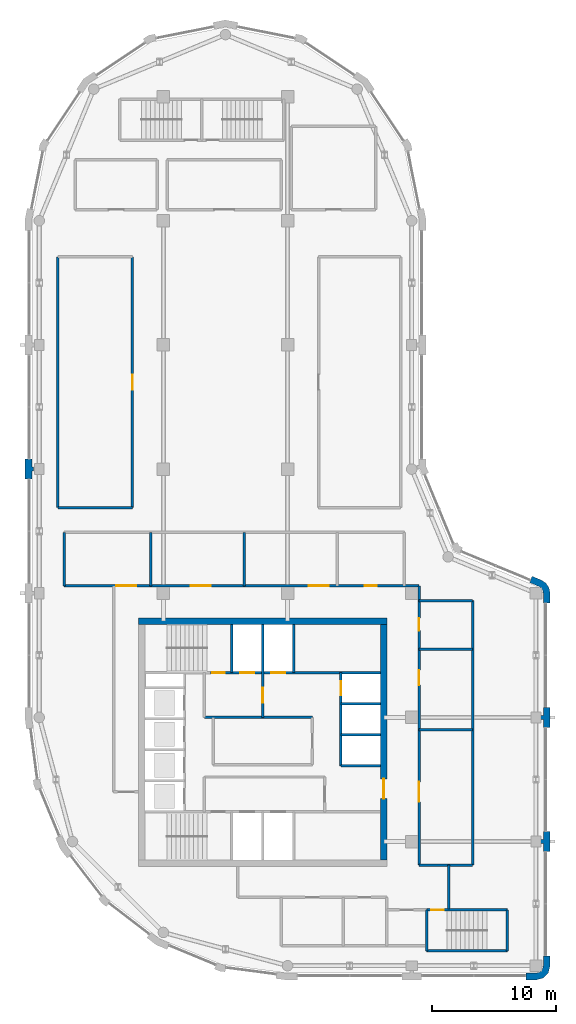
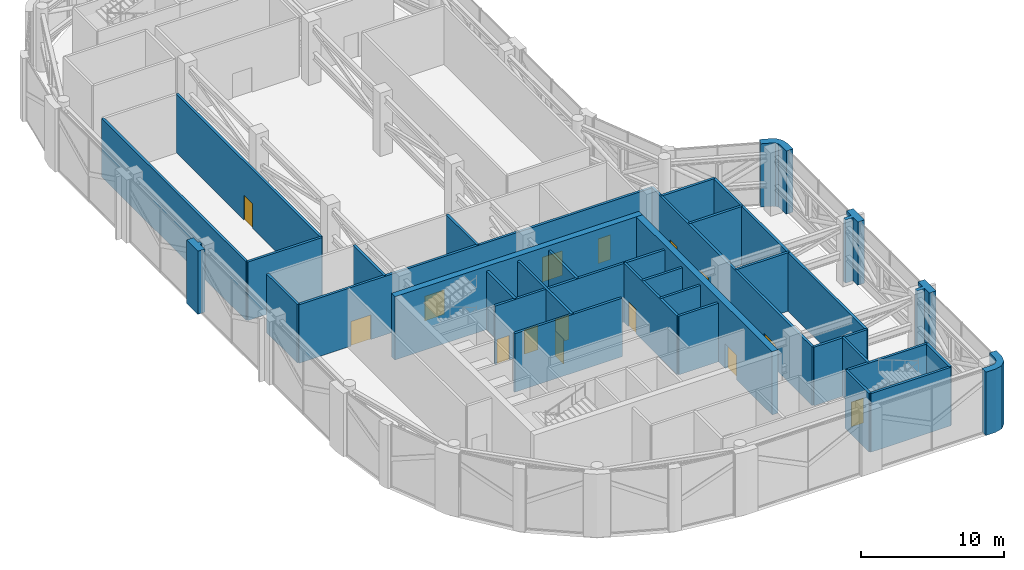
# One storey, part 14 of 18: 34 walls, 15 doors, 15 openings.
"""IFC4 building model written with IfcOpenShell, lengths in metres."""

import ifcopenshell
import ifcopenshell.guid

model = None  # the IFC model being written
_history = None  # IfcOwnerHistory: only IFC2X3 demands one
_inside = {}  # id of a spatial element -> (the spatial element, [elements in it])
_under = {}  # id of a project, library or spatial element -> (it, [spatial elements below it])
_declared = {}  # id of a project -> (the project, [libraries it declares])
_typed = {}  # id of a type object -> (the type object, [elements of that type])
_made_of = {}  # id of a material, layer set ... -> (it, [elements and type objects made of it])


def new_model(schema):
    """Start an empty IFC model of exactly this schema.

    Asked for "IFC4X3", IfcOpenShell would pick the latest addendum, in which some entities
    have other attributes; the version numbers below select the first issue.
    IFC2X3 requires an IfcOwnerHistory on every rooted entity: one is made here for all.
    """
    global model, _history
    if schema == "IFC4X3":
        model = ifcopenshell.file(schema_version=(4, 3, 0, 0))
    else:
        model = ifcopenshell.file(schema=schema)
    _inside.clear()
    _under.clear()
    _declared.clear()
    _typed.clear()
    _made_of.clear()
    _history = None
    if model.schema == "IFC2X3":
        org = make("IfcOrganization", Name="unknown")
        user = make(
            "IfcPersonAndOrganization",
            ThePerson=make("IfcPerson", FamilyName="unknown"),
            TheOrganization=org,
        )
        app = make(
            "IfcApplication",
            ApplicationDeveloper=org,
            Version="unknown",
            ApplicationFullName="unknown",
            ApplicationIdentifier="unknown",
        )
        _history = make(
            "IfcOwnerHistory",
            OwningUser=user,
            OwningApplication=app,
            ChangeAction="ADDED",
            CreationDate=0,
        )
    return model


def make(cls, **values):
    """One entity of the class cls with the attributes given. An attribute that is None is left unset."""
    return model.create_entity(
        cls, **{name: value for name, value in values.items() if value is not None}
    )


def rooted(cls, **values):
    """An entity with a GlobalId (a new one), such as an element, a storey or a relation."""
    return make(cls, GlobalId=ifcopenshell.guid.new(), OwnerHistory=_history, **values)


def si_unit(unit_type, name, prefix=None):
    """IfcSIUnit, for example si_unit("LENGTHUNIT", "METRE", prefix="MILLI")."""
    return make("IfcSIUnit", UnitType=unit_type, Prefix=prefix, Name=name)


def assignment(units):
    """IfcUnitAssignment: the units of a project."""
    return None if units is None else make("IfcUnitAssignment", Units=units)


def point(xyz):
    """IfcCartesianPoint."""
    return None if xyz is None else make("IfcCartesianPoint", Coordinates=xyz)


def direction(xyz):
    """IfcDirection."""
    return None if xyz is None else make("IfcDirection", DirectionRatios=xyz)


def frame(location, z_axis=None, x_axis=None):
    """IfcAxis2Placement3D, a coordinate frame: its origin and axes. An axis left out is left unset."""
    return make(
        "IfcAxis2Placement3D",
        Location=point(location),
        Axis=direction(z_axis),
        RefDirection=direction(x_axis),
    )


def frame_2d(location, x_axis=None):
    """IfcAxis2Placement2D, a coordinate frame in the plane: its origin and x axis."""
    return make(
        "IfcAxis2Placement2D", Location=point(location), RefDirection=direction(x_axis)
    )


def origin():
    """The frame at (0, 0, 0) with its axes left unset."""
    return frame((0.0, 0.0, 0.0))


def place(relative_to, where):
    """IfcLocalPlacement: puts the frame where relative to a parent placement (None: the world)."""
    return make(
        "IfcLocalPlacement", PlacementRelTo=relative_to, RelativePlacement=where
    )


def context(
    kind, dimensions, precision=None, world=None, true_north=None, identifier=None
):
    """IfcGeometricRepresentationContext, for example the 3D "Model" context."""
    return make(
        "IfcGeometricRepresentationContext",
        ContextIdentifier=identifier,
        ContextType=kind,
        CoordinateSpaceDimension=dimensions,
        Precision=precision,
        WorldCoordinateSystem=world,
        TrueNorth=true_north,
    )


def subcontext(parent, identifier, kind, view, scale=None):
    """IfcGeometricRepresentationSubContext, for example "Body" below "Model"."""
    return make(
        "IfcGeometricRepresentationSubContext",
        ContextIdentifier=identifier,
        ContextType=kind,
        ParentContext=parent,
        TargetScale=scale,
        TargetView=view,
    )


def project(units=None, contexts=None):
    """IfcProject with its units and contexts."""
    return rooted(
        "IfcProject",
        Name="project",
        RepresentationContexts=contexts,
        UnitsInContext=assignment(units),
    )


def spatial(cls, under=None, at=None, **own):
    """A site, building, storey or space (cls), placed at a placement, below another one or the project."""
    s = rooted(cls, ObjectPlacement=at, **own)
    if under is not None:
        _under.setdefault(under.id(), (under, []))[1].append(s)
    return s


def polyline(points):
    """IfcPolyline through the points."""
    return make("IfcPolyline", Points=[point(p) for p in points])


def profile(cls, at=None, kind="AREA", **sizes):
    """A parametric profile (cls). Its sizes go by their IFC names, for example OverallWidth=200.0."""
    return make(cls, ProfileType=kind, Position=at, **sizes)


def rectangle(**sizes):
    """IfcRectangleProfileDef."""
    return profile("IfcRectangleProfileDef", **sizes)


def outline(outer, holes=None, kind="AREA"):
    """IfcArbitraryClosedProfileDef: a profile drawn as a closed curve; with holes, ...WithVoids."""
    if holes is None:
        return make("IfcArbitraryClosedProfileDef", ProfileType=kind, OuterCurve=outer)
    return make(
        "IfcArbitraryProfileDefWithVoids",
        ProfileType=kind,
        OuterCurve=outer,
        InnerCurves=holes,
    )


def extrude(swept, where, along, depth):
    """IfcExtrudedAreaSolid: the profile swept, set in the frame where, extruded along a direction by depth."""
    return make(
        "IfcExtrudedAreaSolid",
        SweptArea=swept,
        Position=where,
        ExtrudedDirection=direction(along),
        Depth=depth,
    )


def shape(context_of_items, identifier, shape_type, items):
    """IfcShapeRepresentation: the items that make up one representation, for example the "Body"."""
    return make(
        "IfcShapeRepresentation",
        ContextOfItems=context_of_items,
        RepresentationIdentifier=identifier,
        RepresentationType=shape_type,
        Items=items,
    )


def material(Name=None, Category=None):
    """IfcMaterial."""
    return make("IfcMaterial", Name=Name, Category=Category)


def layer(
    of_material, thickness, ventilated=None, Name=None, Category=None, Priority=None
):
    """IfcMaterialLayer: one layer of a wall or slab, of a material (None: an air gap)."""
    return make(
        "IfcMaterialLayer",
        Material=of_material,
        LayerThickness=thickness,
        IsVentilated=ventilated,
        Name=Name,
        Category=Category,
        Priority=Priority,
    )


def layer_set(layers, Name=None):
    """IfcMaterialLayerSet."""
    return make("IfcMaterialLayerSet", MaterialLayers=layers, LayerSetName=Name)


def made_of(thing, what):
    """Note that an element or type object is made of a material, layer set ...; save() writes the relation."""
    if what is not None:
        _made_of.setdefault(what.id(), (what, []))[1].append(thing)
    return thing


def type_object(cls, material=None, **own):
    """A type object (cls), such as IfcWallType, which elements share."""
    return made_of(rooted(cls, **own), material)


def element(
    cls,
    number,
    at=None,
    inside=None,
    cuts=None,
    type_object=None,
    material=None,
    context=None,
    identifier="Body",
    shape_type=None,
    held_by="IfcProductDefinitionShape",
    body=None,
    shapes=None,
    **own,
):
    """One element of the class cls, such as IfcWall. Its Tag is "e" and its number.

    at: its placement. inside: the storey or other place that contains it. cuts: it is an
    opening in that element (IfcRelVoidsElement). A single representation is given by context,
    identifier, shape_type and body (its items); several are given by shapes. held_by: the class
    of the entity that holds the representations. save() writes the other relations.
    """
    e = rooted(cls, Tag="e%d" % number, ObjectPlacement=at, **own)
    if body is not None:
        shapes = [shape(context, identifier, shape_type, body)]
    if shapes is not None:
        e.Representation = make(held_by, Representations=shapes)
    if inside is not None:
        _inside.setdefault(inside.id(), (inside, []))[1].append(e)
    if cuts is not None:
        rooted(
            "IfcRelVoidsElement", RelatingBuildingElement=cuts, RelatedOpeningElement=e
        )
    if type_object is not None:
        _typed.setdefault(type_object.id(), (type_object, []))[1].append(e)
    return made_of(e, material)


def fill(opening, filler):
    """IfcRelFillsElement: the door or window that sits in an opening."""
    return rooted(
        "IfcRelFillsElement",
        RelatingOpeningElement=opening,
        RelatedBuildingElement=filler,
    )


def aggregate(whole, parts):
    """IfcRelAggregates: a whole, such as a stair, and the parts it consists of."""
    return rooted("IfcRelAggregates", RelatingObject=whole, RelatedObjects=parts)


def save(model, path):
    """Write the relations noted so far, then the file.

    IfcRelAggregates (storeys below a building ...), IfcRelContainedInSpatialStructure (elements
    in a storey), IfcRelDefinesByType, IfcRelAssociatesMaterial and IfcRelDeclares: one each for
    every whole, place, type object, material and project.
    """
    for whole, parts in _under.values():
        aggregate(whole, parts)
    for where, things in _inside.values():
        rooted(
            "IfcRelContainedInSpatialStructure",
            RelatedElements=things,
            RelatingStructure=where,
        )
    for kind, things in _typed.values():
        rooted("IfcRelDefinesByType", RelatedObjects=things, RelatingType=kind)
    for what, things in _made_of.values():
        rooted("IfcRelAssociatesMaterial", RelatedObjects=things, RelatingMaterial=what)
    for by, libraries in _declared.values():
        rooted("IfcRelDeclares", RelatingContext=by, RelatedDefinitions=libraries)
    model.write(path)


model = new_model("IFC4")

# Units and contexts
model_context = context("Model", 3, precision=1e-05, world=origin(), true_north=direction((0.0, 1.0)))
body_context = subcontext(model_context, "Body", "Model", "MODEL_VIEW")
ifc_project = project(units=[si_unit("LENGTHUNIT", "METRE"), si_unit("AREAUNIT", "SQUARE_METRE"), si_unit("VOLUMEUNIT", "CUBIC_METRE"), si_unit("PLANEANGLEUNIT", "RADIAN"), si_unit("MASSUNIT", "GRAM", prefix="KILO")], contexts=[model_context])

# Site, building, storey
site_placement = place(None, origin())
site = spatial("IfcSite", under=ifc_project, at=site_placement, CompositionType="ELEMENT")
building_placement = place(site_placement, origin())
building = spatial("IfcBuilding", under=site, at=building_placement, Name="Qaws Garden Tower", CompositionType="ELEMENT")
storey_placement = place(building_placement, frame((0.0, 0.0, 352.800048828125)))
storey = spatial("IfcBuildingStorey", under=building, at=storey_placement, Name="L86", CompositionType="ELEMENT", Elevation=352.800048828125)

# Walls
ifc_material_1 = material(Name="Clay facing brick masonry", Category="masonry")
ifc_layer_1 = layer(ifc_material_1, 0.550048828125)
ifc_layer_set_1 = layer_set([ifc_layer_1], Name="Clay facing brick masonry")
wall_type_1 = type_object("IfcWallType", Name="Brick corner pier 550 x 2400", PredefinedType="SOLIDWALL", material=ifc_layer_set_1)
placement = place(storey_placement, origin())
element("IfcWall", 1, at=placement, inside=storey, type_object=wall_type_1, Name="E-L86-pier-02", PredefinedType="SOLIDWALL", context=body_context, shape_type="SweptSolid", body=[
    extrude(outline(polyline([(39.199951171875, -1.0), (39.199951171875, -1.14990234375), (40.0, -1.14990234375), (40.574951171875, -0.995849609375), (40.995849609375, -0.574951171875), (41.14990234375, 0.0), (41.14990234375, 0.800048828125), (41.0, 0.800048828125), (40.60009765625, 0.800048828125), (40.60009765625, 0.0), (40.51953125, -0.300048828125), (40.300048828125, -0.51953125), (40.0, -0.60009765625), (39.199951171875, -0.60009765625), (39.199951171875, -1.0)])), origin(), (0.0, 0.0, 1.0), 5.39990234375),
])
element("IfcWall", 2, at=placement, inside=storey, type_object=wall_type_1, Name="E-L86-pier-05", PredefinedType="SOLIDWALL", context=body_context, shape_type="SweptSolid", body=[
    extrude(outline(polyline([(41.0, 29.199951171875), (41.14990234375, 29.199951171875), (41.14990234375, 30.0), (41.0625, 30.440185546875), (40.813232421875, 30.813232421875), (40.440185546875, 31.0625), (39.700927734375, 31.36865234375), (39.6435546875, 31.22998046875), (39.490478515625, 30.860595703125), (40.2294921875, 30.554443359375), (40.42431640625, 30.42431640625), (40.554443359375, 30.2294921875), (40.60009765625, 30.0), (40.60009765625, 29.199951171875), (41.0, 29.199951171875)])), origin(), (0.0, 0.0, 1.0), 5.39990234375),
])
ifc_material_2 = material(Name="Clay facing brick masonry", Category="masonry")
ifc_layer_2 = layer(ifc_material_2, 0.550048828125)
ifc_layer_set_2 = layer_set([ifc_layer_2], Name="Clay facing brick masonry")
wall_type_2 = type_object("IfcWallType", Name="Brick pier 550 x 1600", PredefinedType="SOLIDWALL", material=ifc_layer_set_2)
element("IfcWall", 3, at=placement, inside=storey, type_object=wall_type_2, Name="E-L86-pier-03", PredefinedType="SOLIDWALL", context=body_context, shape_type="SweptSolid", body=[
    extrude(outline(polyline([(40.0, 9.85009765625), (40.60009765625, 9.85009765625), (40.60009765625, 9.199951171875), (41.0, 9.199951171875), (41.14990234375, 9.199951171875), (41.14990234375, 10.0), (41.14990234375, 10.800048828125), (41.0, 10.800048828125), (40.60009765625, 10.800048828125), (40.60009765625, 10.14990234375), (40.0, 10.14990234375), (40.0, 9.85009765625)])), origin(), (0.0, 0.0, 1.0), 5.39990234375),
])
element("IfcWall", 4, at=placement, inside=storey, type_object=wall_type_2, Name="E-L86-pier-04", PredefinedType="SOLIDWALL", context=body_context, shape_type="SweptSolid", body=[
    extrude(outline(polyline([(40.0, 19.85009765625), (40.60009765625, 19.85009765625), (40.60009765625, 19.199951171875), (41.0, 19.199951171875), (41.14990234375, 19.199951171875), (41.14990234375, 20.0), (41.14990234375, 20.800048828125), (41.0, 20.800048828125), (40.60009765625, 20.800048828125), (40.60009765625, 20.14990234375), (40.0, 20.14990234375), (40.0, 19.85009765625)])), origin(), (0.0, 0.0, 1.0), 5.39990234375),
])
element("IfcWall", 5, at=placement, inside=storey, type_object=wall_type_2, Name="E-L86-pier-19", PredefinedType="SOLIDWALL", context=body_context, shape_type="SweptSolid", body=[
    extrude(outline(polyline([(-0.60009765625, 39.199951171875), (-0.60009765625, 39.85009765625), (-0.449951171875, 39.85009765625), (-0.449951171875, 40.14990234375), (-0.60009765625, 40.14990234375), (-0.60009765625, 40.800048828125), (-1.0, 40.800048828125), (-1.14990234375, 40.800048828125), (-1.14990234375, 40.0), (-1.14990234375, 39.199951171875), (-1.0, 39.199951171875), (-0.60009765625, 39.199951171875)])), origin(), (0.0, 0.0, 1.0), 5.39990234375),
])
ifc_material_3 = material(Name="Concrete C60", Category="concrete")
ifc_layer_3 = layer(ifc_material_3, 0.199951171875)
ifc_layer_set_3 = layer_set([ifc_layer_3], Name="Concrete C60")
wall_type_3 = type_object("IfcWallType", Name="Core shaft wall 200 C60", PredefinedType="SHEAR", material=ifc_layer_set_3)
wall_6_placement = place(storey_placement, frame((31.199951171875, 1.199951171875, 0.0), z_axis=(0.0, 0.0, 1.0), x_axis=(1.0, 0.0, 0.0)))
element("IfcWall", 6, at=wall_6_placement, inside=storey, type_object=wall_type_3, Name="Shaft wall", PredefinedType="SHEAR", context=body_context, shape_type="SweptSolid", body=[
    extrude(rectangle(XDim=6.5, YDim=0.199951171875, at=frame_2d((3.25, 0.0))), origin(), (0.0, 0.0, 1.0), 5.0),
])

# Wall, opening, door
wall_7_placement = place(storey_placement, frame((31.199951171875, 4.5, 0.0), z_axis=(0.0, 0.0, 1.0), x_axis=(1.0, 0.0, 0.0)))
wall_7 = element("IfcWall", 7, at=wall_7_placement, inside=storey, type_object=wall_type_3, Name="Shaft wall", PredefinedType="SHEAR", context=body_context, shape_type="SweptSolid", body=[
    extrude(rectangle(XDim=6.5, YDim=0.199951171875, at=frame_2d((3.25, 0.0))), origin(), (0.0, 0.0, 1.0), 5.0),
])
opening_1_placement = place(wall_7_placement, frame((0.375, 0.0, 0.0)))
opening_1 = element("IfcOpeningElement", 8, at=opening_1_placement, cuts=wall_7, Name="Opening SD12", PredefinedType="OPENING", context=body_context, shape_type="SweptSolid", body=[
    extrude(rectangle(XDim=1.0, YDim=2.10009765625, at=frame_2d((0.5, 1.050048828125))), frame((0.0, 0.10986328125, 0.0), z_axis=(0.0, -1.0, 0.0), x_axis=(1.0, 0.0, 0.0)), (0.0, 0.0, 1.0), 0.219970703125),
])
ifc_material_4 = material(Name="Steel S235", Category="steel")
door_type_1 = type_object("IfcDoorType", Name="Stair door 1000x2100", OperationType="SINGLE_SWING_RIGHT", PredefinedType="DOOR", material=ifc_material_4)
door_1_placement = place(opening_1_placement, frame((1.0, 0.0, 0.0), z_axis=(0.0, 0.0, 1.0), x_axis=(-1.0, 0.0, 0.0)))
door_1 = element("IfcDoor", 9, at=door_1_placement, inside=storey, type_object=door_type_1, Name="Stair 5 door", OperationType="SINGLE_SWING_RIGHT", OverallHeight=2.10009765625, OverallWidth=1.0, PredefinedType="DOOR", context=body_context, shape_type="SweptSolid", body=[
    extrude(rectangle(XDim=1.0, YDim=2.10009765625, at=frame_2d((0.5, 1.050048828125))), frame((0.0, 0.02490234375, 0.0), z_axis=(0.0, -1.0, 0.0), x_axis=(1.0, 0.0, 0.0)), (0.0, 0.0, 1.0), 0.050048828125),
])
fill(opening_1, door_1)

# Walls
for number, where, z_axis, x_axis, name in (
    (10, (24.300048828125, 16.10009765625, 0.0), (0.0, 0.0, 1.0), (1.0, 0.0, 0.0), "Shaft wall"),
    (11, (24.300048828125, 18.60009765625, 0.0), (0.0, 0.0, 1.0), (1.0, 0.0, 0.0), "Shaft wall"),
):
    element("IfcWall", number, at=place(storey_placement, frame(where, z_axis=z_axis, x_axis=x_axis)), inside=storey, type_object=wall_type_3, Name=name, PredefinedType="SHEAR", context=body_context, shape_type="SweptSolid", body=[
        extrude(rectangle(XDim=3.199951171875, YDim=0.199951171875, at=frame_2d((1.60009765625, 0.0))), origin(), (0.0, 0.0, 1.0), 5.0),
    ])
wall_8_placement = place(storey_placement, frame((13.300048828125, 20.0, 0.0), z_axis=(0.0, 0.0, 1.0), x_axis=(1.0, 0.0, 0.0)))
element("IfcWall", 12, at=wall_8_placement, inside=storey, type_object=wall_type_3, Name="Shaft wall", PredefinedType="SHEAR", context=body_context, shape_type="SweptSolid", body=[
    extrude(rectangle(XDim=8.699951171875, YDim=0.199951171875, at=frame_2d((4.35009765625, 0.0))), origin(), (0.0, 0.0, 1.0), 5.0),
])
wall_9_placement = place(storey_placement, frame((24.300048828125, 21.10009765625, 0.0), z_axis=(0.0, 0.0, 1.0), x_axis=(1.0, 0.0, 0.0)))
element("IfcWall", 13, at=wall_9_placement, inside=storey, type_object=wall_type_3, Name="Shaft wall", PredefinedType="SHEAR", context=body_context, shape_type="SweptSolid", body=[
    extrude(rectangle(XDim=3.199951171875, YDim=0.199951171875, at=frame_2d((1.60009765625, 0.0))), origin(), (0.0, 0.0, 1.0), 5.0),
])

# Wall, openings, doors
wall_10_placement = place(storey_placement, frame((13.800048828125, 23.60009765625, 0.0), z_axis=(0.0, 0.0, 1.0), x_axis=(1.0, 0.0, 0.0)))
wall_10 = element("IfcWall", 14, at=wall_10_placement, inside=storey, type_object=wall_type_3, Name="Shaft wall", PredefinedType="SHEAR", context=body_context, shape_type="SweptSolid", body=[
    extrude(rectangle(XDim=13.699951171875, YDim=0.199951171875, at=frame_2d((6.85009765625, 0.0))), origin(), (0.0, 0.0, 1.0), 5.0),
])
opening_2_placement = place(wall_10_placement, frame((2.39990234375, 0.0, 0.0)))
opening_2 = element("IfcOpeningElement", 15, at=opening_2_placement, cuts=wall_10, Name="Opening LD08", PredefinedType="OPENING", context=body_context, shape_type="SweptSolid", body=[
    extrude(rectangle(XDim=1.10009765625, YDim=2.10009765625, at=frame_2d((0.550048828125, 1.050048828125))), frame((0.0, 0.10986328125, 0.0), z_axis=(0.0, -1.0, 0.0), x_axis=(1.0, 0.0, 0.0)), (0.0, 0.0, 1.0), 0.219970703125),
])
opening_3_placement = place(wall_10_placement, frame((4.89990234375, 0.0, 0.0)))
opening_3 = element("IfcOpeningElement", 16, at=opening_3_placement, cuts=wall_10, Name="Opening LD09", PredefinedType="OPENING", context=body_context, shape_type="SweptSolid", body=[
    extrude(rectangle(XDim=1.10009765625, YDim=2.10009765625, at=frame_2d((0.550048828125, 1.050048828125))), frame((0.0, 0.10986328125, 0.0), z_axis=(0.0, -1.0, 0.0), x_axis=(1.0, 0.0, 0.0)), (0.0, 0.0, 1.0), 0.219970703125),
])
opening_4_placement = place(wall_10_placement, frame((0.14990234375, 0.0, 0.0)))
opening_4 = element("IfcOpeningElement", 17, at=opening_4_placement, cuts=wall_10, Name="Opening SD11", PredefinedType="OPENING", context=body_context, shape_type="SweptSolid", body=[
    extrude(rectangle(XDim=1.0, YDim=2.10009765625, at=frame_2d((0.5, 1.050048828125))), frame((0.0, 0.10986328125, 0.0), z_axis=(0.0, -1.0, 0.0), x_axis=(1.0, 0.0, 0.0)), (0.0, 0.0, 1.0), 0.219970703125),
])
ifc_material_5 = material(Name="Steel S235", Category="steel")
door_type_2 = type_object("IfcDoorType", Name="Landing door 1100x2100", OperationType="DOUBLE_DOOR_SLIDING", PredefinedType="DOOR", material=ifc_material_5)
door_2_placement = place(opening_2_placement, origin())
door_2 = element("IfcDoor", 18, at=door_2_placement, inside=storey, type_object=door_type_2, Name="Lift FF3 landing door", OperationType="DOUBLE_DOOR_SLIDING", OverallHeight=2.10009765625, OverallWidth=1.10009765625, PredefinedType="DOOR", context=body_context, shape_type="SweptSolid", body=[
    extrude(rectangle(XDim=1.10009765625, YDim=2.10009765625, at=frame_2d((0.550048828125, 1.050048828125))), frame((0.0, 0.02490234375, 0.0), z_axis=(0.0, -1.0, 0.0), x_axis=(1.0, 0.0, 0.0)), (0.0, 0.0, 1.0), 0.050048828125),
])
fill(opening_2, door_2)
door_3_placement = place(opening_3_placement, origin())
door_3 = element("IfcDoor", 19, at=door_3_placement, inside=storey, type_object=door_type_2, Name="Lift SV2 landing door", OperationType="DOUBLE_DOOR_SLIDING", OverallHeight=2.10009765625, OverallWidth=1.10009765625, PredefinedType="DOOR", context=body_context, shape_type="SweptSolid", body=[
    extrude(rectangle(XDim=1.10009765625, YDim=2.10009765625, at=frame_2d((0.550048828125, 1.050048828125))), frame((0.0, 0.02490234375, 0.0), z_axis=(0.0, -1.0, 0.0), x_axis=(1.0, 0.0, 0.0)), (0.0, 0.0, 1.0), 0.050048828125),
])
fill(opening_3, door_3)
door_4_placement = place(opening_4_placement, frame((1.0, 0.0, 0.0), z_axis=(0.0, 0.0, 1.0), x_axis=(-1.0, 0.0, 0.0)))
door_4 = element("IfcDoor", 20, at=door_4_placement, inside=storey, type_object=door_type_1, Name="Stair 4 door", OperationType="SINGLE_SWING_RIGHT", OverallHeight=2.10009765625, OverallWidth=1.0, PredefinedType="DOOR", context=body_context, shape_type="SweptSolid", body=[
    extrude(rectangle(XDim=1.0, YDim=2.10009765625, at=frame_2d((0.5, 1.050048828125))), frame((0.0, 0.02490234375, 0.0), z_axis=(0.0, -1.0, 0.0), x_axis=(1.0, 0.0, 0.0)), (0.0, 0.0, 1.0), 0.050048828125),
])
fill(opening_4, door_4)

# Wall
wall_11_placement = place(storey_placement, frame((15.5, 23.60009765625, 0.0), z_axis=(0.0, 0.0, 1.0), x_axis=(0.0, 1.0, 0.0)))
element("IfcWall", 21, at=wall_11_placement, inside=storey, type_object=wall_type_3, Name="Shaft wall", PredefinedType="SHEAR", context=body_context, shape_type="SweptSolid", body=[
    extrude(rectangle(XDim=3.89990234375, YDim=0.199951171875, at=frame_2d((1.949951171875, 0.0))), origin(), (0.0, 0.0, 1.0), 5.0),
])

# Wall, opening, door
wall_12_placement = place(storey_placement, frame((18.0, 20.0, 0.0), z_axis=(0.0, 0.0, 1.0), x_axis=(0.0, 1.0, 0.0)))
wall_12 = element("IfcWall", 22, at=wall_12_placement, inside=storey, type_object=wall_type_3, Name="Shaft wall", PredefinedType="SHEAR", context=body_context, shape_type="SweptSolid", body=[
    extrude(rectangle(XDim=7.5, YDim=0.199951171875, at=frame_2d((3.75, 0.0))), origin(), (0.0, 0.0, 1.0), 5.0),
])
opening_5_placement = place(wall_12_placement, frame((1.199951171875, 0.0, 0.0)))
opening_5 = element("IfcOpeningElement", 23, at=opening_5_placement, cuts=wall_12, Name="Opening FD16", PredefinedType="OPENING", context=body_context, shape_type="SweptSolid", body=[
    extrude(rectangle(XDim=1.199951171875, YDim=2.10009765625, at=frame_2d((0.60009765625, 1.050048828125))), frame((0.0, 0.10986328125, 0.0), z_axis=(0.0, -1.0, 0.0), x_axis=(1.0, 0.0, 0.0)), (0.0, 0.0, 1.0), 0.219970703125),
])
ifc_material_6 = material(Name="Steel S235", Category="steel")
door_type_3 = type_object("IfcDoorType", Name="Lobby door 1200x2100", OperationType="DOUBLE_DOOR_SINGLE_SWING", PredefinedType="DOOR", material=ifc_material_6)
door_5_placement = place(opening_5_placement, origin())
door_5 = element("IfcDoor", 24, at=door_5_placement, inside=storey, type_object=door_type_3, Name="Fire-fighting lobby door", OperationType="DOUBLE_DOOR_SINGLE_SWING", OverallHeight=2.10009765625, OverallWidth=1.199951171875, PredefinedType="DOOR", context=body_context, shape_type="SweptSolid", body=[
    extrude(rectangle(XDim=1.199951171875, YDim=2.10009765625, at=frame_2d((0.60009765625, 1.050048828125))), frame((0.0, 0.02490234375, 0.0), z_axis=(0.0, -1.0, 0.0), x_axis=(1.0, 0.0, 0.0)), (0.0, 0.0, 1.0), 0.050048828125),
])
fill(opening_5, door_5)

# Wall
wall_13_placement = place(storey_placement, frame((20.5, 23.60009765625, 0.0), z_axis=(0.0, 0.0, 1.0), x_axis=(0.0, 1.0, 0.0)))
element("IfcWall", 25, at=wall_13_placement, inside=storey, type_object=wall_type_3, Name="Shaft wall", PredefinedType="SHEAR", context=body_context, shape_type="SweptSolid", body=[
    extrude(rectangle(XDim=3.89990234375, YDim=0.199951171875, at=frame_2d((1.949951171875, 0.0))), origin(), (0.0, 0.0, 1.0), 5.0),
])

# Wall, opening, door
wall_14_placement = place(storey_placement, frame((24.300048828125, 16.10009765625, 0.0), z_axis=(0.0, 0.0, 1.0), x_axis=(0.0, 1.0, 0.0)))
wall_14 = element("IfcWall", 26, at=wall_14_placement, inside=storey, type_object=wall_type_3, Name="Shaft wall", PredefinedType="SHEAR", context=body_context, shape_type="SweptSolid", body=[
    extrude(rectangle(XDim=7.5, YDim=0.199951171875, at=frame_2d((3.75, 0.0))), origin(), (0.0, 0.0, 1.0), 5.0),
])
opening_6_placement = place(wall_14_placement, frame((5.699951171875, 0.0, 0.0)))
opening_6 = element("IfcOpeningElement", 27, at=opening_6_placement, cuts=wall_14, Name="Opening LD05", PredefinedType="OPENING", context=body_context, shape_type="SweptSolid", body=[
    extrude(rectangle(XDim=1.10009765625, YDim=2.10009765625, at=frame_2d((0.550048828125, 1.050048828125))), frame((0.0, 0.10986328125, 0.0), z_axis=(0.0, -1.0, 0.0), x_axis=(1.0, 0.0, 0.0)), (0.0, 0.0, 1.0), 0.219970703125),
])
door_6_placement = place(opening_6_placement, origin())
door_6 = element("IfcDoor", 28, at=door_6_placement, inside=storey, type_object=door_type_2, Name="Lift E3 landing door", OperationType="DOUBLE_DOOR_SLIDING", OverallHeight=2.10009765625, OverallWidth=1.10009765625, PredefinedType="DOOR", context=body_context, shape_type="SweptSolid", body=[
    extrude(rectangle(XDim=1.10009765625, YDim=2.10009765625, at=frame_2d((0.550048828125, 1.050048828125))), frame((0.0, 0.02490234375, 0.0), z_axis=(0.0, -1.0, 0.0), x_axis=(1.0, 0.0, 0.0)), (0.0, 0.0, 1.0), 0.050048828125),
])
fill(opening_6, door_6)

# Walls
for number, where, z_axis, x_axis, name in (
    (29, (31.199951171875, 1.199951171875, 0.0), (0.0, 0.0, 1.0), (0.0, 1.0, 0.0), "Shaft wall"),
    (30, (37.699951171875, 1.199951171875, 0.0), (0.0, 0.0, 1.0), (0.0, 1.0, 0.0), "Shaft wall"),
):
    element("IfcWall", number, at=place(storey_placement, frame(where, z_axis=z_axis, x_axis=x_axis)), inside=storey, type_object=wall_type_3, Name=name, PredefinedType="SHEAR", context=body_context, shape_type="SweptSolid", body=[
        extrude(rectangle(XDim=3.300048828125, YDim=0.199951171875, at=frame_2d((1.64990234375, 0.0))), origin(), (0.0, 0.0, 1.0), 5.0),
    ])

# Wall, opening, door
ifc_material_7 = material(Name="Concrete C60", Category="concrete")
ifc_layer_4 = layer(ifc_material_7, 0.5)
ifc_layer_set_4 = layer_set([ifc_layer_4], Name="Concrete C60")
wall_type_4 = type_object("IfcWallType", Name="Core wall 500 C60", PredefinedType="SHEAR", material=ifc_layer_set_4)
wall_15_placement = place(storey_placement, frame((27.75, 8.5, 0.0), z_axis=(0.0, 0.0, 1.0), x_axis=(0.0, 1.0, 0.0)))
wall_15 = element("IfcWall", 31, at=wall_15_placement, inside=storey, type_object=wall_type_4, Name="Core wall L86 east", PredefinedType="SHEAR", context=body_context, shape_type="SweptSolid", body=[
    extrude(rectangle(XDim=19.0, YDim=0.5, at=frame_2d((9.5, 0.0))), origin(), (0.0, 0.0, 1.0), 5.39990234375),
])
opening_7_placement = place(wall_15_placement, frame((4.949951171875, 0.0, 0.0)))
opening_7 = element("IfcOpeningElement", 32, at=opening_7_placement, cuts=wall_15, Name="Opening ED18", PredefinedType="OPENING", context=body_context, shape_type="SweptSolid", body=[
    extrude(rectangle(XDim=1.60009765625, YDim=2.10009765625, at=frame_2d((0.800048828125, 1.050048828125))), frame((0.0, 0.260009765625, 0.0), z_axis=(0.0, -1.0, 0.0), x_axis=(1.0, 0.0, 0.0)), (0.0, 0.0, 1.0), 0.52001953125),
])
ifc_material_8 = material(Name="Steel S235", Category="steel")
door_type_4 = type_object("IfcDoorType", Name="Core entrance door 1600x2100", OperationType="DOUBLE_DOOR_SINGLE_SWING", PredefinedType="DOOR", material=ifc_material_8)
door_7_placement = place(opening_7_placement, origin())
door_7 = element("IfcDoor", 33, at=door_7_placement, inside=storey, type_object=door_type_4, Name="Core entrance door", OperationType="DOUBLE_DOOR_SINGLE_SWING", OverallHeight=2.10009765625, OverallWidth=1.60009765625, PredefinedType="DOOR", context=body_context, shape_type="SweptSolid", body=[
    extrude(rectangle(XDim=1.60009765625, YDim=2.10009765625, at=frame_2d((0.800048828125, 1.050048828125))), frame((0.0, 0.02490234375, 0.0), z_axis=(0.0, -1.0, 0.0), x_axis=(1.0, 0.0, 0.0)), (0.0, 0.0, 1.0), 0.050048828125),
])
fill(opening_7, door_7)

# Walls
wall_16_placement = place(storey_placement, frame((28.0, 27.75, 0.0), z_axis=(0.0, 0.0, 1.0), x_axis=(-1.0, 0.0, 0.0)))
element("IfcWall", 34, at=wall_16_placement, inside=storey, type_object=wall_type_4, Name="Core wall L86 north", PredefinedType="SHEAR", context=body_context, shape_type="SweptSolid", body=[
    extrude(rectangle(XDim=20.0, YDim=0.5, at=frame_2d((10.0, 0.0))), origin(), (0.0, 0.0, 1.0), 5.39990234375),
])
ifc_material_9 = material(Name="Blockwork", Category="masonry")
ifc_layer_5 = layer(ifc_material_9, 0.199951171875)
ifc_layer_set_5 = layer_set([ifc_layer_5], Name="Blockwork")
wall_type_5 = type_object("IfcWallType", Name="Plant compartment wall 200", PredefinedType="PARTITIONING", material=ifc_layer_set_5)
wall_17_placement = place(storey_placement, frame((1.5, 36.89990234375, 0.0), z_axis=(0.0, 0.0, 1.0), x_axis=(1.0, 0.0, 0.0)))
element("IfcWall", 35, at=wall_17_placement, inside=storey, type_object=wall_type_5, Name="Plant zone wall", PredefinedType="PARTITIONING", context=body_context, shape_type="SweptSolid", body=[
    extrude(rectangle(XDim=6.0, YDim=0.199951171875, at=frame_2d((3.0, 0.0))), origin(), (0.0, 0.0, 1.0), 5.0),
])

# Wall, openings, doors
wall_18_placement = place(storey_placement, frame((2.0, 30.60009765625, 0.0), z_axis=(0.0, 0.0, 1.0), x_axis=(1.0, 0.0, 0.0)))
wall_18 = element("IfcWall", 36, at=wall_18_placement, inside=storey, type_object=wall_type_5, Name="Plant zone wall", PredefinedType="PARTITIONING", context=body_context, shape_type="SweptSolid", body=[
    extrude(rectangle(XDim=28.60009765625, YDim=0.199951171875, at=frame_2d((14.300048828125, 0.0))), origin(), (0.0, 0.0, 1.0), 5.0),
])
opening_8_placement = place(wall_18_placement, frame((4.199951171875, 0.0, 0.0)))
opening_8 = element("IfcOpeningElement", 37, at=opening_8_placement, cuts=wall_18, Name="Opening PZ8604", PredefinedType="OPENING", context=body_context, shape_type="SweptSolid", body=[
    extrude(rectangle(XDim=1.60009765625, YDim=2.10009765625, at=frame_2d((0.800048828125, 1.050048828125))), frame((0.0, 0.10986328125, 0.0), z_axis=(0.0, -1.0, 0.0), x_axis=(1.0, 0.0, 0.0)), (0.0, 0.0, 1.0), 0.219970703125),
])
opening_9_placement = place(wall_18_placement, frame((10.199951171875, 0.0, 0.0)))
opening_9 = element("IfcOpeningElement", 38, at=opening_9_placement, cuts=wall_18, Name="Opening PZ8605", PredefinedType="OPENING", context=body_context, shape_type="SweptSolid", body=[
    extrude(rectangle(XDim=1.60009765625, YDim=2.10009765625, at=frame_2d((0.800048828125, 1.050048828125))), frame((0.0, 0.10986328125, 0.0), z_axis=(0.0, -1.0, 0.0), x_axis=(1.0, 0.0, 0.0)), (0.0, 0.0, 1.0), 0.219970703125),
])
opening_10_placement = place(wall_18_placement, frame((19.699951171875, 0.0, 0.0)))
opening_10 = element("IfcOpeningElement", 39, at=opening_10_placement, cuts=wall_18, Name="Opening PZ8606", PredefinedType="OPENING", context=body_context, shape_type="SweptSolid", body=[
    extrude(rectangle(XDim=1.60009765625, YDim=2.10009765625, at=frame_2d((0.800048828125, 1.050048828125))), frame((0.0, 0.10986328125, 0.0), z_axis=(0.0, -1.0, 0.0), x_axis=(1.0, 0.0, 0.0)), (0.0, 0.0, 1.0), 0.219970703125),
])
opening_11_placement = place(wall_18_placement, frame((24.199951171875, 0.0, 0.0)))
opening_11 = element("IfcOpeningElement", 40, at=opening_11_placement, cuts=wall_18, Name="Opening PZ8607", PredefinedType="OPENING", context=body_context, shape_type="SweptSolid", body=[
    extrude(rectangle(XDim=1.0, YDim=2.10009765625, at=frame_2d((0.5, 1.050048828125))), frame((0.0, 0.10986328125, 0.0), z_axis=(0.0, -1.0, 0.0), x_axis=(1.0, 0.0, 0.0)), (0.0, 0.0, 1.0), 0.219970703125),
])
ifc_material_10 = material(Name="Steel S235", Category="steel")
door_type_5 = type_object("IfcDoorType", Name="Plant door 1000x2100", OperationType="SINGLE_SWING_LEFT", PredefinedType="DOOR", material=ifc_material_10)
door_8_placement = place(opening_11_placement, origin())
door_8 = element("IfcDoor", 41, at=door_8_placement, inside=storey, type_object=door_type_5, Name="Switch room door", OperationType="SINGLE_SWING_RIGHT", OverallHeight=2.10009765625, OverallWidth=1.0, PredefinedType="DOOR", context=body_context, shape_type="SweptSolid", body=[
    extrude(rectangle(XDim=1.0, YDim=2.10009765625, at=frame_2d((0.5, 1.050048828125))), frame((0.0, 0.02490234375, 0.0), z_axis=(0.0, -1.0, 0.0), x_axis=(1.0, 0.0, 0.0)), (0.0, 0.0, 1.0), 0.050048828125),
])
fill(opening_11, door_8)
ifc_material_11 = material(Name="Steel S235", Category="steel")
door_type_6 = type_object("IfcDoorType", Name="Plant door 1600x2100", OperationType="DOUBLE_DOOR_DOUBLE_SWING", PredefinedType="DOOR", material=ifc_material_11)
door_9_placement = place(opening_8_placement, origin())
door_9 = element("IfcDoor", 42, at=door_9_placement, inside=storey, type_object=door_type_6, Name="Air handling plant room door", OperationType="DOUBLE_DOOR_DOUBLE_SWING", OverallHeight=2.10009765625, OverallWidth=1.60009765625, PredefinedType="DOOR", context=body_context, shape_type="SweptSolid", body=[
    extrude(rectangle(XDim=1.60009765625, YDim=2.10009765625, at=frame_2d((0.800048828125, 1.050048828125))), frame((0.0, 0.02490234375, 0.0), z_axis=(0.0, -1.0, 0.0), x_axis=(1.0, 0.0, 0.0)), (0.0, 0.0, 1.0), 0.050048828125),
])
fill(opening_8, door_9)
door_10_placement = place(opening_9_placement, origin())
door_10 = element("IfcDoor", 43, at=door_10_placement, inside=storey, type_object=door_type_6, Name="Chiller plant room door", OperationType="DOUBLE_DOOR_DOUBLE_SWING", OverallHeight=2.10009765625, OverallWidth=1.60009765625, PredefinedType="DOOR", context=body_context, shape_type="SweptSolid", body=[
    extrude(rectangle(XDim=1.60009765625, YDim=2.10009765625, at=frame_2d((0.800048828125, 1.050048828125))), frame((0.0, 0.02490234375, 0.0), z_axis=(0.0, -1.0, 0.0), x_axis=(1.0, 0.0, 0.0)), (0.0, 0.0, 1.0), 0.050048828125),
])
fill(opening_9, door_10)
door_11_placement = place(opening_10_placement, origin())
door_11 = element("IfcDoor", 44, at=door_11_placement, inside=storey, type_object=door_type_6, Name="Mechanical plant room door", OperationType="DOUBLE_DOOR_DOUBLE_SWING", OverallHeight=2.10009765625, OverallWidth=1.60009765625, PredefinedType="DOOR", context=body_context, shape_type="SweptSolid", body=[
    extrude(rectangle(XDim=1.60009765625, YDim=2.10009765625, at=frame_2d((0.800048828125, 1.050048828125))), frame((0.0, 0.02490234375, 0.0), z_axis=(0.0, -1.0, 0.0), x_axis=(1.0, 0.0, 0.0)), (0.0, 0.0, 1.0), 0.050048828125),
])
fill(opening_10, door_11)

# Walls
for number, where, z_axis, x_axis, name in (
    (45, (30.60009765625, 8.10009765625, 0.0), (0.0, 0.0, 1.0), (1.0, 0.0, 0.0), "Plant zone wall"),
    (46, (30.60009765625, 19.0, 0.0), (0.0, 0.0, 1.0), (1.0, 0.0, 0.0), "Plant zone wall"),
    (47, (30.60009765625, 25.5, 0.0), (0.0, 0.0, 1.0), (1.0, 0.0, 0.0), "Plant zone wall"),
    (48, (30.60009765625, 29.39990234375, 0.0), (0.0, 0.0, 1.0), (1.0, 0.0, 0.0), "Plant zone wall"),
):
    element("IfcWall", number, at=place(storey_placement, frame(where, z_axis=z_axis, x_axis=x_axis)), inside=storey, type_object=wall_type_5, Name=name, PredefinedType="PARTITIONING", context=body_context, shape_type="SweptSolid", body=[
        extrude(rectangle(XDim=4.2998046875, YDim=0.199951171875, at=frame_2d((2.14990234375, 0.0))), origin(), (0.0, 0.0, 1.0), 5.0),
    ])
wall_19_placement = place(storey_placement, frame((1.5, 36.89990234375, 0.0), z_axis=(0.0, 0.0, 1.0), x_axis=(0.0, 1.0, 0.0)))
element("IfcWall", 49, at=wall_19_placement, inside=storey, type_object=wall_type_5, Name="Plant zone wall", PredefinedType="PARTITIONING", context=body_context, shape_type="SweptSolid", body=[
    extrude(rectangle(XDim=20.2001953125, YDim=0.199951171875, at=frame_2d((10.10009765625, 0.0))), origin(), (0.0, 0.0, 1.0), 5.0),
])
wall_20_placement = place(storey_placement, frame((2.0, 30.60009765625, 0.0), z_axis=(0.0, 0.0, 1.0), x_axis=(0.0, 1.0, 0.0)))
element("IfcWall", 50, at=wall_20_placement, inside=storey, type_object=wall_type_5, Name="Plant zone wall", PredefinedType="PARTITIONING", context=body_context, shape_type="SweptSolid", body=[
    extrude(rectangle(XDim=4.2998046875, YDim=0.199951171875, at=frame_2d((2.14990234375, 0.0))), origin(), (0.0, 0.0, 1.0), 5.0),
])

# Wall, opening, door
wall_21_placement = place(storey_placement, frame((7.5, 36.89990234375, 0.0), z_axis=(0.0, 0.0, 1.0), x_axis=(0.0, 1.0, 0.0)))
wall_21 = element("IfcWall", 51, at=wall_21_placement, inside=storey, type_object=wall_type_5, Name="Plant zone wall", PredefinedType="PARTITIONING", context=body_context, shape_type="SweptSolid", body=[
    extrude(rectangle(XDim=20.2001953125, YDim=0.199951171875, at=frame_2d((10.10009765625, 0.0))), origin(), (0.0, 0.0, 1.0), 5.0),
])
opening_12_placement = place(wall_21_placement, frame((9.5, 0.0, 0.0)))
opening_12 = element("IfcOpeningElement", 52, at=opening_12_placement, cuts=wall_21, Name="Opening PZ8614", PredefinedType="OPENING", context=body_context, shape_type="SweptSolid", body=[
    extrude(rectangle(XDim=1.199951171875, YDim=2.10009765625, at=frame_2d((0.60009765625, 1.050048828125))), frame((0.0, 0.10986328125, 0.0), z_axis=(0.0, -1.0, 0.0), x_axis=(1.0, 0.0, 0.0)), (0.0, 0.0, 1.0), 0.219970703125),
])
ifc_material_12 = material(Name="Steel S235", Category="steel")
door_type_7 = type_object("IfcDoorType", Name="Plant door 1200x2100", OperationType="DOUBLE_DOOR_SINGLE_SWING", PredefinedType="DOOR", material=ifc_material_12)
door_12_placement = place(opening_12_placement, origin())
door_12 = element("IfcDoor", 53, at=door_12_placement, inside=storey, type_object=door_type_7, Name="Water tank room door", OperationType="DOUBLE_DOOR_SINGLE_SWING", OverallHeight=2.10009765625, OverallWidth=1.199951171875, PredefinedType="DOOR", context=body_context, shape_type="SweptSolid", body=[
    extrude(rectangle(XDim=1.199951171875, YDim=2.10009765625, at=frame_2d((0.60009765625, 1.050048828125))), frame((0.0, 0.02490234375, 0.0), z_axis=(0.0, -1.0, 0.0), x_axis=(1.0, 0.0, 0.0)), (0.0, 0.0, 1.0), 0.050048828125),
])
fill(opening_12, door_12)

# Walls
for number, where, z_axis, x_axis, name in (
    (54, (9.0, 30.60009765625, 0.0), (0.0, 0.0, 1.0), (0.0, 1.0, 0.0), "Plant zone wall"),
    (55, (16.5, 30.60009765625, 0.0), (0.0, 0.0, 1.0), (0.0, 1.0, 0.0), "Plant zone wall"),
):
    element("IfcWall", number, at=place(storey_placement, frame(where, z_axis=z_axis, x_axis=x_axis)), inside=storey, type_object=wall_type_5, Name=name, PredefinedType="PARTITIONING", context=body_context, shape_type="SweptSolid", body=[
        extrude(rectangle(XDim=4.2998046875, YDim=0.199951171875, at=frame_2d((2.14990234375, 0.0))), origin(), (0.0, 0.0, 1.0), 5.0),
    ])

# Wall, openings, doors
wall_22_placement = place(storey_placement, frame((30.60009765625, 8.10009765625, 0.0), z_axis=(0.0, 0.0, 1.0), x_axis=(0.0, 1.0, 0.0)))
wall_22 = element("IfcWall", 56, at=wall_22_placement, inside=storey, type_object=wall_type_5, Name="Plant zone wall", PredefinedType="PARTITIONING", context=body_context, shape_type="SweptSolid", body=[
    extrude(rectangle(XDim=22.5, YDim=0.199951171875, at=frame_2d((11.25, 0.0))), origin(), (0.0, 0.0, 1.0), 5.0),
])
opening_13_placement = place(wall_22_placement, frame((5.10009765625, 0.0, 0.0)))
opening_13 = element("IfcOpeningElement", 57, at=opening_13_placement, cuts=wall_22, Name="Opening PZ8601", PredefinedType="OPENING", context=body_context, shape_type="SweptSolid", body=[
    extrude(rectangle(XDim=1.60009765625, YDim=2.10009765625, at=frame_2d((0.800048828125, 1.050048828125))), frame((0.0, 0.10986328125, 0.0), z_axis=(0.0, -1.0, 0.0), x_axis=(1.0, 0.0, 0.0)), (0.0, 0.0, 1.0), 0.219970703125),
])
opening_14_placement = place(wall_22_placement, frame((14.5, 0.0, 0.0)))
opening_14 = element("IfcOpeningElement", 58, at=opening_14_placement, cuts=wall_22, Name="Opening PZ8602", PredefinedType="OPENING", context=body_context, shape_type="SweptSolid", body=[
    extrude(rectangle(XDim=1.199951171875, YDim=2.10009765625, at=frame_2d((0.60009765625, 1.050048828125))), frame((0.0, 0.10986328125, 0.0), z_axis=(0.0, -1.0, 0.0), x_axis=(1.0, 0.0, 0.0)), (0.0, 0.0, 1.0), 0.219970703125),
])
opening_15_placement = place(wall_22_placement, frame((18.89990234375, 0.0, 0.0)))
opening_15 = element("IfcOpeningElement", 59, at=opening_15_placement, cuts=wall_22, Name="Opening PZ8603", PredefinedType="OPENING", context=body_context, shape_type="SweptSolid", body=[
    extrude(rectangle(XDim=1.0, YDim=2.10009765625, at=frame_2d((0.5, 1.050048828125))), frame((0.0, 0.10986328125, 0.0), z_axis=(0.0, -1.0, 0.0), x_axis=(1.0, 0.0, 0.0)), (0.0, 0.0, 1.0), 0.219970703125),
])
door_13_placement = place(opening_15_placement, frame((1.0, 0.0, 0.0), z_axis=(0.0, 0.0, 1.0), x_axis=(-1.0, 0.0, 0.0)))
door_13 = element("IfcDoor", 60, at=door_13_placement, inside=storey, type_object=door_type_5, Name="Transformer room door", OperationType="SINGLE_SWING_LEFT", OverallHeight=2.10009765625, OverallWidth=1.0, PredefinedType="DOOR", context=body_context, shape_type="SweptSolid", body=[
    extrude(rectangle(XDim=1.0, YDim=2.10009765625, at=frame_2d((0.5, 1.050048828125))), frame((0.0, 0.02490234375, 0.0), z_axis=(0.0, -1.0, 0.0), x_axis=(1.0, 0.0, 0.0)), (0.0, 0.0, 1.0), 0.050048828125),
])
fill(opening_15, door_13)
door_14_placement = place(opening_14_placement, frame((1.199951171875, 0.0, 0.0), z_axis=(0.0, 0.0, 1.0), x_axis=(-1.0, 0.0, 0.0)))
door_14 = element("IfcDoor", 61, at=door_14_placement, inside=storey, type_object=door_type_7, Name="Refuge floor area door", OperationType="DOUBLE_DOOR_SINGLE_SWING", OverallHeight=2.10009765625, OverallWidth=1.199951171875, PredefinedType="DOOR", context=body_context, shape_type="SweptSolid", body=[
    extrude(rectangle(XDim=1.199951171875, YDim=2.10009765625, at=frame_2d((0.60009765625, 1.050048828125))), frame((0.0, 0.02490234375, 0.0), z_axis=(0.0, -1.0, 0.0), x_axis=(1.0, 0.0, 0.0)), (0.0, 0.0, 1.0), 0.050048828125),
])
fill(opening_14, door_14)
door_15_placement = place(opening_13_placement, frame((1.60009765625, 0.0, 0.0), z_axis=(0.0, 0.0, 1.0), x_axis=(-1.0, 0.0, 0.0)))
door_15 = element("IfcDoor", 62, at=door_15_placement, inside=storey, type_object=door_type_6, Name="Generator room door", OperationType="DOUBLE_DOOR_DOUBLE_SWING", OverallHeight=2.10009765625, OverallWidth=1.60009765625, PredefinedType="DOOR", context=body_context, shape_type="SweptSolid", body=[
    extrude(rectangle(XDim=1.60009765625, YDim=2.10009765625, at=frame_2d((0.800048828125, 1.050048828125))), frame((0.0, 0.02490234375, 0.0), z_axis=(0.0, -1.0, 0.0), x_axis=(1.0, 0.0, 0.0)), (0.0, 0.0, 1.0), 0.050048828125),
])
fill(opening_13, door_15)

# Walls
wall_23_placement = place(storey_placement, frame((33.0, 4.550048828125, 0.0), z_axis=(0.0, 0.0, 1.0), x_axis=(0.0, 1.0, 0.0)))
element("IfcWall", 63, at=wall_23_placement, inside=storey, type_object=wall_type_5, Name="Plant zone wall", PredefinedType="PARTITIONING", context=body_context, shape_type="SweptSolid", body=[
    extrude(rectangle(XDim=3.550048828125, YDim=0.199951171875, at=frame_2d((1.77490234375, 0.0))), origin(), (0.0, 0.0, 1.0), 5.0),
])
wall_24_placement = place(storey_placement, frame((34.89990234375, 8.10009765625, 0.0), z_axis=(0.0, 0.0, 1.0), x_axis=(0.0, 1.0, 0.0)))
element("IfcWall", 64, at=wall_24_placement, inside=storey, type_object=wall_type_5, Name="Plant zone wall", PredefinedType="PARTITIONING", context=body_context, shape_type="SweptSolid", body=[
    extrude(rectangle(XDim=21.2998046875, YDim=0.199951171875, at=frame_2d((10.64990234375, 0.0))), origin(), (0.0, 0.0, 1.0), 5.0),
])

save(model, "model.ifc")
